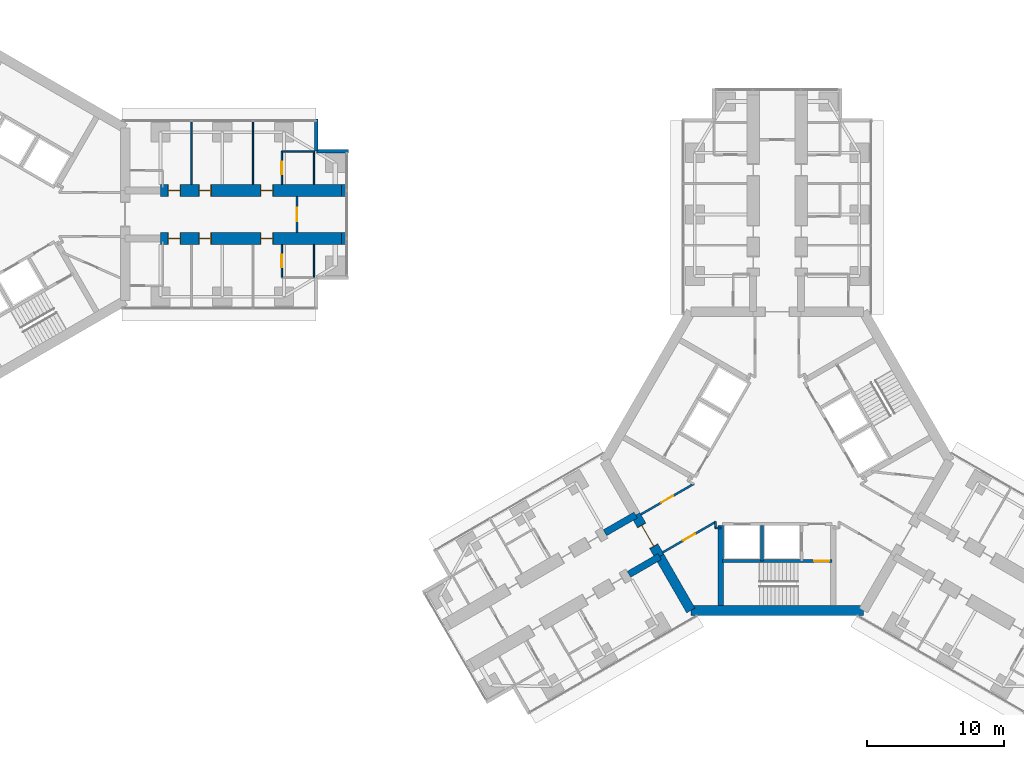
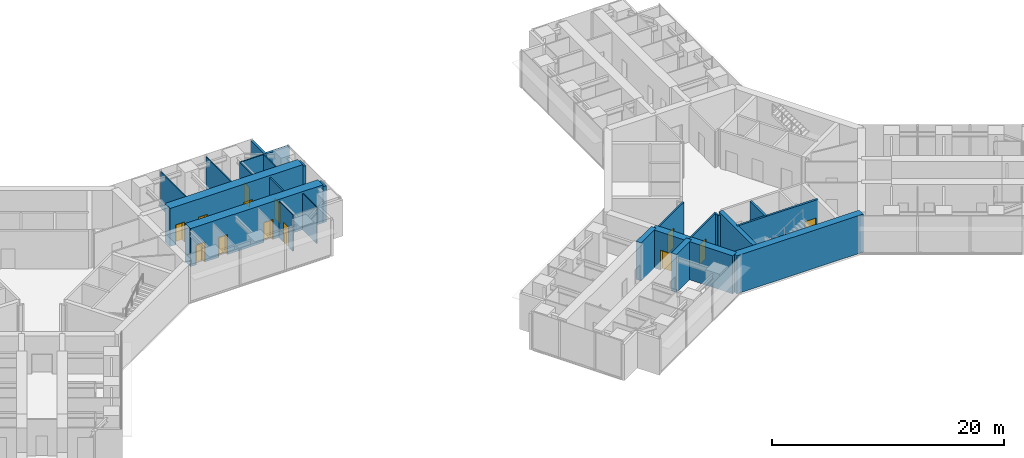
# One storey, part 20 of 25: 26 walls, 13 doors, 13 openings.
"""IFC4 building model written with IfcOpenShell, lengths in metres."""

from ifc_helpers import new_model, si_unit, direction, frame, frame_2d, origin, place, context, subcontext, project, spatial, rectangle, extrude, material, layer, layer_set, type_object, element, fill, save


model = new_model("IFC4")

# Units and contexts
model_context = context("Model", 3, precision=1e-05, world=origin(), true_north=direction((0.0, 1.0)))
body_context = subcontext(model_context, "Body", "Model", "MODEL_VIEW")
ifc_project = project(units=[si_unit("LENGTHUNIT", "METRE"), si_unit("AREAUNIT", "SQUARE_METRE"), si_unit("VOLUMEUNIT", "CUBIC_METRE"), si_unit("PLANEANGLEUNIT", "RADIAN"), si_unit("MASSUNIT", "GRAM", prefix="KILO")], contexts=[model_context])

# Site, building, storey
site_placement = place(None, origin())
site = spatial("IfcSite", under=ifc_project, at=site_placement, CompositionType="ELEMENT")
building_placement = place(site_placement, origin())
building = spatial("IfcBuilding", under=site, at=building_placement, Name="Upepo Twin Towers", CompositionType="ELEMENT")
storey_placement = place(building_placement, frame((0.0, 0.0, 80.5)))
storey = spatial("IfcBuildingStorey", under=building, at=storey_placement, Name="L19", CompositionType="ELEMENT", Elevation=80.5)

# Walls
ifc_material_1 = material(Name="Dense concrete blockwork", Category="masonry")
ifc_layer_1 = layer(ifc_material_1, 0.89990234375)
ifc_layer_set_1 = layer_set([ifc_layer_1], Name="Buttress closer 900, blockwork with fire-stopping to the curtain wall")
wall_type_1 = type_object("IfcWallType", Name="Buttress closer 900, blockwork with fire-stopping to the curtain wall", PredefinedType="PARTITIONING", material=ifc_layer_set_1)
for number, where, z_axis, x_axis, name in (
    (1, (26.699951171875, 1.75, 0.0), (0.0, 0.0, 1.0), (1.0, 0.0, 0.0), "T1 L19 wing A buttress closer L"),
    (2, (26.699951171875, -1.75, 0.0), (0.0, 0.0, 1.0), (1.0, 0.0, 0.0), "T1 L19 wing A buttress closer R"),
):
    element("IfcWall", number, at=place(storey_placement, frame(where, z_axis=z_axis, x_axis=x_axis)), inside=storey, type_object=wall_type_1, Name=name, PredefinedType="PARTITIONING", context=body_context, shape_type="SweptSolid", body=[
        extrude(rectangle(XDim=0.31005859375, YDim=0.89990234375, at=frame_2d((0.155029296875, 0.0))), origin(), (0.0, 0.0, 1.0), 3.800048828125),
    ])
ifc_material_2 = material(Name="Concrete C60/75", Category="concrete")
ifc_layer_2 = layer(ifc_material_2, 0.5)
ifc_layer_set_2 = layer_set([ifc_layer_2], Name="Concrete C60/75")
wall_type_2 = type_object("IfcWallType", Name="Buttress wall 500 RC", PredefinedType="SHEAR", material=ifc_layer_set_2)
for number, where, z_axis, x_axis, name in (
    (3, (49.92822265625, -24.9697265625, 0.0), (0.0, 0.0, 1.0), (-0.866031863473, -0.499988811324, 0.0), "T2 wing B buttress wall L"),
    (4, (48.17822265625, -21.938720703125, 0.0), (0.0, 0.0, 1.0), (-0.866072649678, -0.499918158782, 0.0), "T2 wing B buttress wall R"),
):
    element("IfcWall", number, at=place(storey_placement, frame(where, z_axis=z_axis, x_axis=x_axis)), inside=storey, type_object=wall_type_2, Name=name, PredefinedType="SHEAR", context=body_context, shape_type="SweptSolid", body=[
        extrude(rectangle(XDim=2.591796875, YDim=0.5, at=frame_2d((1.2958984375, 0.0))), origin(), (0.0, 0.0, 1.0), 4.0),
    ])

# Wall, openings, doors
ifc_material_3 = material(Name="Concrete C60/75", Category="concrete")
ifc_layer_3 = layer(ifc_material_3, 0.89990234375)
ifc_layer_set_3 = layer_set([ifc_layer_3], Name="Concrete C60/75")
wall_type_3 = type_object("IfcWallType", Name="Buttress wall 900 RC", PredefinedType="SHEAR", material=ifc_layer_set_3)
wall_1_placement = place(storey_placement, frame((13.5, 1.75, 0.0), z_axis=(0.0, 0.0, 1.0), x_axis=(1.0, 0.0, 0.0)))
wall_1 = element("IfcWall", 5, at=wall_1_placement, inside=storey, type_object=wall_type_3, Name="T1 wing A buttress wall L part 2", PredefinedType="SHEAR", context=body_context, shape_type="SweptSolid", body=[
    extrude(rectangle(XDim=13.199951171875, YDim=0.89990234375, at=frame_2d((6.60009765625, 0.0))), origin(), (0.0, 0.0, 1.0), 4.0),
])
opening_1_placement = place(wall_1_placement, frame((0.550048828125, 0.0, 0.0)))
opening_1 = element("IfcOpeningElement", 6, at=opening_1_placement, cuts=wall_1, Name="Opening D11", PredefinedType="OPENING", context=body_context, shape_type="SweptSolid", body=[
    extrude(rectangle(XDim=0.89990234375, YDim=2.10009765625, at=frame_2d((0.449951171875, 1.050048828125))), frame((0.0, 0.4599609375, 0.0), z_axis=(0.0, -1.0, 0.0), x_axis=(1.0, 0.0, 0.0)), (0.0, 0.0, 1.0), 0.919921875),
])
opening_2_placement = place(wall_1_placement, frame((2.800048828125, 0.0, 0.0)))
opening_2 = element("IfcOpeningElement", 7, at=opening_2_placement, cuts=wall_1, Name="Opening D14", PredefinedType="OPENING", context=body_context, shape_type="SweptSolid", body=[
    extrude(rectangle(XDim=0.89990234375, YDim=2.10009765625, at=frame_2d((0.449951171875, 1.050048828125))), frame((0.0, 0.4599609375, 0.0), z_axis=(0.0, -1.0, 0.0), x_axis=(1.0, 0.0, 0.0)), (0.0, 0.0, 1.0), 0.919921875),
])
opening_3_placement = place(wall_1_placement, frame((7.300048828125, 0.0, 0.0)))
opening_3 = element("IfcOpeningElement", 8, at=opening_3_placement, cuts=wall_1, Name="Opening D14", PredefinedType="OPENING", context=body_context, shape_type="SweptSolid", body=[
    extrude(rectangle(XDim=0.89990234375, YDim=2.10009765625, at=frame_2d((0.449951171875, 1.050048828125))), frame((0.0, 0.4599609375, 0.0), z_axis=(0.0, -1.0, 0.0), x_axis=(1.0, 0.0, 0.0)), (0.0, 0.0, 1.0), 0.919921875),
])
ifc_material_4 = material(Name="Timber doorset", Category="wood")
door_type_1 = type_object("IfcDoorType", Name="Office door 900 FD30", OperationType="SINGLE_SWING_LEFT", PredefinedType="DOOR", material=ifc_material_4)
door_1_placement = place(opening_2_placement, origin())
door_1 = element("IfcDoor", 9, at=door_1_placement, inside=storey, type_object=door_type_1, Name="T1 L19 staff office door", OperationType="SINGLE_SWING_LEFT", OverallHeight=2.10009765625, OverallWidth=0.89990234375, PredefinedType="DOOR", context=body_context, shape_type="SweptSolid", body=[
    extrude(rectangle(XDim=0.81990234375, YDim=2.06009765625, at=frame_2d((0.449951171875, 1.030029296875))), frame((0.0, 0.02490234375, 0.0), z_axis=(0.0, -1.0, 0.0), x_axis=(1.0, 0.0, 0.0)), (0.0, 0.0, 1.0), 0.050048828125),
    extrude(rectangle(XDim=0.04, YDim=2.10009765625, at=frame_2d((0.02001953125, 1.050048828125))), frame((0.0, 0.44970703125, 0.0), z_axis=(0.0, -1.0, 0.0), x_axis=(1.0, 0.0, 0.0)), (0.0, 0.0, 1.0), 0.8994140625),
    extrude(rectangle(XDim=0.04, YDim=2.10009765625, at=frame_2d((0.8798828125, 1.050048828125))), frame((0.0, 0.44970703125, 0.0), z_axis=(0.0, -1.0, 0.0), x_axis=(1.0, 0.0, 0.0)), (0.0, 0.0, 1.0), 0.8994140625),
    extrude(rectangle(XDim=0.81990234375, YDim=0.04, at=frame_2d((0.449951171875, 2.080078125))), frame((0.0, 0.44970703125, 0.0), z_axis=(0.0, -1.0, 0.0), x_axis=(1.0, 0.0, 0.0)), (0.0, 0.0, 1.0), 0.8994140625),
])
fill(opening_2, door_1)
door_2_placement = place(opening_3_placement, origin())
door_2 = element("IfcDoor", 10, at=door_2_placement, inside=storey, type_object=door_type_1, Name="T1 L19 postgraduate office door", OperationType="SINGLE_SWING_RIGHT", OverallHeight=2.10009765625, OverallWidth=0.89990234375, PredefinedType="DOOR", context=body_context, shape_type="SweptSolid", body=[
    extrude(rectangle(XDim=0.81990234375, YDim=2.06009765625, at=frame_2d((0.449951171875, 1.030029296875))), frame((0.0, 0.02490234375, 0.0), z_axis=(0.0, -1.0, 0.0), x_axis=(1.0, 0.0, 0.0)), (0.0, 0.0, 1.0), 0.050048828125),
    extrude(rectangle(XDim=0.04, YDim=2.10009765625, at=frame_2d((0.02001953125, 1.050048828125))), frame((0.0, 0.44970703125, 0.0), z_axis=(0.0, -1.0, 0.0), x_axis=(1.0, 0.0, 0.0)), (0.0, 0.0, 1.0), 0.8994140625),
    extrude(rectangle(XDim=0.04, YDim=2.10009765625, at=frame_2d((0.8798828125, 1.050048828125))), frame((0.0, 0.44970703125, 0.0), z_axis=(0.0, -1.0, 0.0), x_axis=(1.0, 0.0, 0.0)), (0.0, 0.0, 1.0), 0.8994140625),
    extrude(rectangle(XDim=0.81990234375, YDim=0.04, at=frame_2d((0.449951171875, 2.080078125))), frame((0.0, 0.44970703125, 0.0), z_axis=(0.0, -1.0, 0.0), x_axis=(1.0, 0.0, 0.0)), (0.0, 0.0, 1.0), 0.8994140625),
])
fill(opening_3, door_2)
ifc_material_5 = material(Name="Timber doorset", Category="wood")
door_type_2 = type_object("IfcDoorType", Name="Toilet door 900", OperationType="SINGLE_SWING_LEFT", PredefinedType="DOOR", material=ifc_material_5)
door_3_placement = place(opening_1_placement, origin())
door_3 = element("IfcDoor", 11, at=door_3_placement, inside=storey, type_object=door_type_2, Name="T1 L19 toilets door", OperationType="SINGLE_SWING_LEFT", OverallHeight=2.10009765625, OverallWidth=0.89990234375, PredefinedType="DOOR", context=body_context, shape_type="SweptSolid", body=[
    extrude(rectangle(XDim=0.81990234375, YDim=2.06009765625, at=frame_2d((0.449951171875, 1.030029296875))), frame((0.0, 0.02490234375, 0.0), z_axis=(0.0, -1.0, 0.0), x_axis=(1.0, 0.0, 0.0)), (0.0, 0.0, 1.0), 0.050048828125),
    extrude(rectangle(XDim=0.04, YDim=2.10009765625, at=frame_2d((0.02001953125, 1.050048828125))), frame((0.0, 0.44970703125, 0.0), z_axis=(0.0, -1.0, 0.0), x_axis=(1.0, 0.0, 0.0)), (0.0, 0.0, 1.0), 0.8994140625),
    extrude(rectangle(XDim=0.04, YDim=2.10009765625, at=frame_2d((0.8798828125, 1.050048828125))), frame((0.0, 0.44970703125, 0.0), z_axis=(0.0, -1.0, 0.0), x_axis=(1.0, 0.0, 0.0)), (0.0, 0.0, 1.0), 0.8994140625),
    extrude(rectangle(XDim=0.81990234375, YDim=0.04, at=frame_2d((0.449951171875, 2.080078125))), frame((0.0, 0.44970703125, 0.0), z_axis=(0.0, -1.0, 0.0), x_axis=(1.0, 0.0, 0.0)), (0.0, 0.0, 1.0), 0.8994140625),
])
fill(opening_1, door_3)

wall_2_placement = place(storey_placement, frame((13.5, -1.75, 0.0), z_axis=(0.0, 0.0, 1.0), x_axis=(1.0, 0.0, 0.0)))
wall_2 = element("IfcWall", 12, at=wall_2_placement, inside=storey, type_object=wall_type_3, Name="T1 wing A buttress wall R part 2", PredefinedType="SHEAR", context=body_context, shape_type="SweptSolid", body=[
    extrude(rectangle(XDim=13.199951171875, YDim=0.89990234375, at=frame_2d((6.60009765625, 0.0))), origin(), (0.0, 0.0, 1.0), 4.0),
])
opening_4_placement = place(wall_2_placement, frame((0.550048828125, 0.0, 0.0)))
opening_4 = element("IfcOpeningElement", 13, at=opening_4_placement, cuts=wall_2, Name="Opening D11", PredefinedType="OPENING", context=body_context, shape_type="SweptSolid", body=[
    extrude(rectangle(XDim=0.89990234375, YDim=2.10009765625, at=frame_2d((0.449951171875, 1.050048828125))), frame((0.0, 0.4599609375, 0.0), z_axis=(0.0, -1.0, 0.0), x_axis=(1.0, 0.0, 0.0)), (0.0, 0.0, 1.0), 0.919921875),
])
opening_5_placement = place(wall_2_placement, frame((2.800048828125, 0.0, 0.0)))
opening_5 = element("IfcOpeningElement", 14, at=opening_5_placement, cuts=wall_2, Name="Opening D14", PredefinedType="OPENING", context=body_context, shape_type="SweptSolid", body=[
    extrude(rectangle(XDim=0.89990234375, YDim=2.10009765625, at=frame_2d((0.449951171875, 1.050048828125))), frame((0.0, 0.4599609375, 0.0), z_axis=(0.0, -1.0, 0.0), x_axis=(1.0, 0.0, 0.0)), (0.0, 0.0, 1.0), 0.919921875),
])
opening_6_placement = place(wall_2_placement, frame((7.300048828125, 0.0, 0.0)))
opening_6 = element("IfcOpeningElement", 15, at=opening_6_placement, cuts=wall_2, Name="Opening D14", PredefinedType="OPENING", context=body_context, shape_type="SweptSolid", body=[
    extrude(rectangle(XDim=0.89990234375, YDim=2.10009765625, at=frame_2d((0.449951171875, 1.050048828125))), frame((0.0, 0.4599609375, 0.0), z_axis=(0.0, -1.0, 0.0), x_axis=(1.0, 0.0, 0.0)), (0.0, 0.0, 1.0), 0.919921875),
])
door_4_placement = place(opening_5_placement, origin())
door_4 = element("IfcDoor", 16, at=door_4_placement, inside=storey, type_object=door_type_1, Name="T1 L19 meeting room door", OperationType="SINGLE_SWING_LEFT", OverallHeight=2.10009765625, OverallWidth=0.89990234375, PredefinedType="DOOR", context=body_context, shape_type="SweptSolid", body=[
    extrude(rectangle(XDim=0.81990234375, YDim=2.06009765625, at=frame_2d((0.449951171875, 1.030029296875))), frame((0.0, 0.02490234375, 0.0), z_axis=(0.0, -1.0, 0.0), x_axis=(1.0, 0.0, 0.0)), (0.0, 0.0, 1.0), 0.050048828125),
    extrude(rectangle(XDim=0.04, YDim=2.10009765625, at=frame_2d((0.02001953125, 1.050048828125))), frame((0.0, 0.44970703125, 0.0), z_axis=(0.0, -1.0, 0.0), x_axis=(1.0, 0.0, 0.0)), (0.0, 0.0, 1.0), 0.8994140625),
    extrude(rectangle(XDim=0.04, YDim=2.10009765625, at=frame_2d((0.8798828125, 1.050048828125))), frame((0.0, 0.44970703125, 0.0), z_axis=(0.0, -1.0, 0.0), x_axis=(1.0, 0.0, 0.0)), (0.0, 0.0, 1.0), 0.8994140625),
    extrude(rectangle(XDim=0.81990234375, YDim=0.04, at=frame_2d((0.449951171875, 2.080078125))), frame((0.0, 0.44970703125, 0.0), z_axis=(0.0, -1.0, 0.0), x_axis=(1.0, 0.0, 0.0)), (0.0, 0.0, 1.0), 0.8994140625),
])
fill(opening_5, door_4)
door_5_placement = place(opening_6_placement, origin())
door_5 = element("IfcDoor", 17, at=door_5_placement, inside=storey, type_object=door_type_1, Name="T1 L19 staff office door", OperationType="SINGLE_SWING_RIGHT", OverallHeight=2.10009765625, OverallWidth=0.89990234375, PredefinedType="DOOR", context=body_context, shape_type="SweptSolid", body=[
    extrude(rectangle(XDim=0.81990234375, YDim=2.06009765625, at=frame_2d((0.449951171875, 1.030029296875))), frame((0.0, 0.02490234375, 0.0), z_axis=(0.0, -1.0, 0.0), x_axis=(1.0, 0.0, 0.0)), (0.0, 0.0, 1.0), 0.050048828125),
    extrude(rectangle(XDim=0.04, YDim=2.10009765625, at=frame_2d((0.02001953125, 1.050048828125))), frame((0.0, 0.44970703125, 0.0), z_axis=(0.0, -1.0, 0.0), x_axis=(1.0, 0.0, 0.0)), (0.0, 0.0, 1.0), 0.8994140625),
    extrude(rectangle(XDim=0.04, YDim=2.10009765625, at=frame_2d((0.8798828125, 1.050048828125))), frame((0.0, 0.44970703125, 0.0), z_axis=(0.0, -1.0, 0.0), x_axis=(1.0, 0.0, 0.0)), (0.0, 0.0, 1.0), 0.8994140625),
    extrude(rectangle(XDim=0.81990234375, YDim=0.04, at=frame_2d((0.449951171875, 2.080078125))), frame((0.0, 0.44970703125, 0.0), z_axis=(0.0, -1.0, 0.0), x_axis=(1.0, 0.0, 0.0)), (0.0, 0.0, 1.0), 0.8994140625),
])
fill(opening_6, door_5)
door_6_placement = place(opening_4_placement, origin())
door_6 = element("IfcDoor", 18, at=door_6_placement, inside=storey, type_object=door_type_2, Name="T1 L19 accessible wc door", OperationType="SINGLE_SWING_LEFT", OverallHeight=2.10009765625, OverallWidth=0.89990234375, PredefinedType="DOOR", context=body_context, shape_type="SweptSolid", body=[
    extrude(rectangle(XDim=0.81990234375, YDim=2.06009765625, at=frame_2d((0.449951171875, 1.030029296875))), frame((0.0, 0.02490234375, 0.0), z_axis=(0.0, -1.0, 0.0), x_axis=(1.0, 0.0, 0.0)), (0.0, 0.0, 1.0), 0.050048828125),
    extrude(rectangle(XDim=0.04, YDim=2.10009765625, at=frame_2d((0.02001953125, 1.050048828125))), frame((0.0, 0.44970703125, 0.0), z_axis=(0.0, -1.0, 0.0), x_axis=(1.0, 0.0, 0.0)), (0.0, 0.0, 1.0), 0.8994140625),
    extrude(rectangle(XDim=0.04, YDim=2.10009765625, at=frame_2d((0.8798828125, 1.050048828125))), frame((0.0, 0.44970703125, 0.0), z_axis=(0.0, -1.0, 0.0), x_axis=(1.0, 0.0, 0.0)), (0.0, 0.0, 1.0), 0.8994140625),
    extrude(rectangle(XDim=0.81990234375, YDim=0.04, at=frame_2d((0.449951171875, 2.080078125))), frame((0.0, 0.44970703125, 0.0), z_axis=(0.0, -1.0, 0.0), x_axis=(1.0, 0.0, 0.0)), (0.0, 0.0, 1.0), 0.8994140625),
])
fill(opening_4, door_6)

# Wall, opening, door
ifc_material_6 = material(Name="Concrete C60/75", Category="concrete")
ifc_layer_4 = layer(ifc_material_6, 0.699951171875)
ifc_layer_set_4 = layer_set([ifc_layer_4], Name="Concrete C60/75")
wall_type_4 = type_object("IfcWallType", Name="Core wall 700 RC", PredefinedType="SHEAR", material=ifc_layer_set_4)
wall_3_placement = place(storey_placement, frame((48.17822265625, -21.938720703125, 0.0), z_axis=(0.0, 0.0, 1.0), x_axis=(0.500010275428, -0.866019471182, 0.0)))
wall_3 = element("IfcWall", 19, at=wall_3_placement, inside=storey, type_object=wall_type_4, Name="T2 core wall 120", PredefinedType="SHEAR", context=body_context, shape_type="SweptSolid", body=[
    extrude(rectangle(XDim=3.5, YDim=0.699951171875, at=frame_2d((1.75, 0.0))), origin(), (0.0, 0.0, 1.0), 4.0),
])
opening_7_placement = place(wall_3_placement, frame((0.85009765625, 0.0, 0.0)))
opening_7 = element("IfcOpeningElement", 20, at=opening_7_placement, cuts=wall_3, Name="Opening D2", PredefinedType="OPENING", context=body_context, shape_type="SweptSolid", body=[
    extrude(rectangle(XDim=1.800048828125, YDim=2.10009765625, at=frame_2d((0.89990234375, 1.050048828125))), frame((0.0, 0.35986328125, 0.0), z_axis=(0.0, -1.0, 0.0), x_axis=(1.0, 0.0, 0.0)), (0.0, 0.0, 1.0), 0.719970703125),
])
ifc_material_7 = material(Name="Timber doorset", Category="wood")
door_type_3 = type_object("IfcDoorType", Name="Corridor double door 1800 FD60", OperationType="DOUBLE_DOOR_DOUBLE_SWING", PredefinedType="DOOR", material=ifc_material_7)
door_7_placement = place(opening_7_placement, origin())
door_7 = element("IfcDoor", 21, at=door_7_placement, inside=storey, type_object=door_type_3, Name="T2 L19 wing B corridor door", OperationType="DOUBLE_DOOR_DOUBLE_SWING", OverallHeight=2.10009765625, OverallWidth=1.800048828125, PredefinedType="DOOR", context=body_context, shape_type="SweptSolid", body=[
    extrude(rectangle(XDim=1.720048828125, YDim=2.06009765625, at=frame_2d((0.89990234375, 1.030029296875))), frame((0.0, 0.02490234375, 0.0), z_axis=(0.0, -1.0, 0.0), x_axis=(1.0, 0.0, 0.0)), (0.0, 0.0, 1.0), 0.050048828125),
    extrude(rectangle(XDim=0.04, YDim=2.10009765625, at=frame_2d((0.02001953125, 1.050048828125))), frame((0.0, 0.349609375, 0.0), z_axis=(0.0, -1.0, 0.0), x_axis=(1.0, 0.0, 0.0)), (0.0, 0.0, 1.0), 0.699462890625),
    extrude(rectangle(XDim=0.04, YDim=2.10009765625, at=frame_2d((1.780029296875, 1.050048828125))), frame((0.0, 0.349609375, 0.0), z_axis=(0.0, -1.0, 0.0), x_axis=(1.0, 0.0, 0.0)), (0.0, 0.0, 1.0), 0.699462890625),
    extrude(rectangle(XDim=1.720048828125, YDim=0.04, at=frame_2d((0.89990234375, 2.080078125))), frame((0.0, 0.349609375, 0.0), z_axis=(0.0, -1.0, 0.0), x_axis=(1.0, 0.0, 0.0)), (0.0, 0.0, 1.0), 0.699462890625),
])
fill(opening_7, door_7)

# Walls
wall_4_placement = place(storey_placement, frame((49.92822265625, -24.9697265625, 0.0), z_axis=(0.0, 0.0, 1.0), x_axis=(0.499984222037, -0.866034513004, 0.0)))
element("IfcWall", 22, at=wall_4_placement, inside=storey, type_object=wall_type_4, Name="T2 core wall 120 L", PredefinedType="SHEAR", context=body_context, shape_type="SweptSolid", body=[
    extrude(rectangle(XDim=4.548095703125, YDim=0.699951171875, at=frame_2d((2.27392578125, 0.0))), origin(), (0.0, 0.0, 1.0), 4.0),
])
wall_5_placement = place(storey_placement, frame((52.2021484375, -28.908447265625, 0.0), z_axis=(0.0, 0.0, 1.0), x_axis=(1.0, 0.0, 0.0)))
element("IfcWall", 23, at=wall_5_placement, inside=storey, type_object=wall_type_4, Name="T2 core wall 180", PredefinedType="SHEAR", context=body_context, shape_type="SweptSolid", body=[
    extrude(rectangle(XDim=12.595703125, YDim=0.699951171875, at=frame_2d((6.2978515625, 0.0))), origin(), (0.0, 0.0, 1.0), 4.0),
])
ifc_material_8 = material(Name="Blockwork with anodised aluminium cladding", Category="masonry")
ifc_layer_5 = layer(ifc_material_8, 0.25)
ifc_layer_set_5 = layer_set([ifc_layer_5], Name="Notch cladding wall 250, pale metal")
wall_type_5 = type_object("IfcWallType", Name="Notch cladding wall 250, pale metal", PredefinedType="STANDARD", material=ifc_layer_set_5)
for number, where, z_axis, x_axis, name in (
    (24, (24.875, 6.949951171875, 0.0), (0.0, 0.0, 1.0), (0.0, -1.0, 0.0), "T1 L19 wing A notch wall L1"),
    (25, (24.875, 4.625, 0.0), (0.0, 0.0, 1.0), (1.0, 0.0, 0.0), "T1 L19 wing A notch wall L2"),
):
    element("IfcWall", number, at=place(storey_placement, frame(where, z_axis=z_axis, x_axis=x_axis)), inside=storey, type_object=wall_type_5, Name=name, PredefinedType="STANDARD", context=body_context, shape_type="SweptSolid", body=[
        extrude(rectangle(XDim=2.324951171875, YDim=0.25, at=frame_2d((1.16259765625, 0.0))), origin(), (0.0, 0.0, 1.0), 3.800048828125),
    ])
ifc_material_9 = material(Name="Gypsum board on steel studs", Category="steel")
ifc_layer_6 = layer(ifc_material_9, 0.10009765625)
ifc_layer_set_6 = layer_set([ifc_layer_6], Name="Office partition 100 stud")
wall_type_6 = type_object("IfcWallType", Name="Office partition 100 stud", PredefinedType="PARTITIONING", material=ifc_layer_set_6)
for number, where, z_axis, x_axis, name in (
    (26, (15.75, 2.199951171875, 0.0), (0.0, 0.0, 1.0), (0.0, 1.0, 0.0), "T1 partition AL at 15.75"),
    (27, (20.25, 2.199951171875, 0.0), (0.0, 0.0, 1.0), (0.0, 1.0, 0.0), "T1 partition AL at 20.25"),
):
    element("IfcWall", number, at=place(storey_placement, frame(where, z_axis=z_axis, x_axis=x_axis)), inside=storey, type_object=wall_type_6, Name=name, PredefinedType="PARTITIONING", context=body_context, shape_type="SweptSolid", body=[
        extrude(rectangle(XDim=4.550048828125, YDim=0.10009765625, at=frame_2d((2.27490234375, 0.0))), origin(), (0.0, 0.0, 1.0), 3.800048828125),
    ])
wall_6_placement = place(storey_placement, frame((22.35009765625, 4.60009765625, 0.0), z_axis=(0.0, 0.0, 1.0), x_axis=(1.0, 0.0, 0.0)))
element("IfcWall", 28, at=wall_6_placement, inside=storey, type_object=wall_type_6, Name="T1 inner room partition AL at 22.35", PredefinedType="PARTITIONING", context=body_context, shape_type="SweptSolid", body=[
    extrude(rectangle(XDim=2.39990234375, YDim=0.10009765625, at=frame_2d((1.199951171875, 0.0))), origin(), (0.0, 0.0, 1.0), 3.800048828125),
])

# Wall, opening, door
wall_7_placement = place(storey_placement, frame((22.35009765625, 2.199951171875, 0.0), z_axis=(0.0, 0.0, 1.0), x_axis=(0.0, 1.0, 0.0)))
wall_7 = element("IfcWall", 29, at=wall_7_placement, inside=storey, type_object=wall_type_6, Name="T1 inner room partition AL end at 22.35", PredefinedType="PARTITIONING", context=body_context, shape_type="SweptSolid", body=[
    extrude(rectangle(XDim=2.400146484375, YDim=0.10009765625, at=frame_2d((1.2001953125, 0.0))), origin(), (0.0, 0.0, 1.0), 3.800048828125),
])
opening_8_placement = place(wall_7_placement, frame((0.75, 0.0, 0.0)))
opening_8 = element("IfcOpeningElement", 30, at=opening_8_placement, cuts=wall_7, Name="Opening D14", PredefinedType="OPENING", context=body_context, shape_type="SweptSolid", body=[
    extrude(rectangle(XDim=0.89990234375, YDim=2.10009765625, at=frame_2d((0.449951171875, 1.050048828125))), frame((0.0, 0.06005859375, 0.0), z_axis=(0.0, -1.0, 0.0), x_axis=(1.0, 0.0, 0.0)), (0.0, 0.0, 1.0), 0.1201171875),
])
door_8_placement = place(opening_8_placement, origin())
door_8 = element("IfcDoor", 31, at=door_8_placement, inside=storey, type_object=door_type_1, Name="T1 L19 inner room door", OperationType="SINGLE_SWING_LEFT", OverallHeight=2.10009765625, OverallWidth=0.89990234375, PredefinedType="DOOR", context=body_context, shape_type="SweptSolid", body=[
    extrude(rectangle(XDim=0.89990234375, YDim=2.10009765625, at=frame_2d((0.449951171875, 1.050048828125))), frame((0.0, 0.02490234375, 0.0), z_axis=(0.0, -1.0, 0.0), x_axis=(1.0, 0.0, 0.0)), (0.0, 0.0, 1.0), 0.050048828125),
])
fill(opening_8, door_8)

# Wall
wall_8_placement = place(storey_placement, frame((24.699951171875, 2.199951171875, 0.0), z_axis=(0.0, 0.0, 1.0), x_axis=(0.0, 1.0, 0.0)))
element("IfcWall", 32, at=wall_8_placement, inside=storey, type_object=wall_type_6, Name="T1 inner room partition AL end at 24.75", PredefinedType="PARTITIONING", context=body_context, shape_type="SweptSolid", body=[
    extrude(rectangle(XDim=2.400146484375, YDim=0.10009765625, at=frame_2d((1.2001953125, 0.0))), origin(), (0.0, 0.0, 1.0), 3.800048828125),
])

# Wall, opening, door
wall_9_placement = place(storey_placement, frame((22.35009765625, -2.199951171875, 0.0), z_axis=(0.0, 0.0, 1.0), x_axis=(0.0, -1.0, 0.0)))
wall_9 = element("IfcWall", 33, at=wall_9_placement, inside=storey, type_object=wall_type_6, Name="T1 inner room partition AR end at 22.35", PredefinedType="PARTITIONING", context=body_context, shape_type="SweptSolid", body=[
    extrude(rectangle(XDim=2.400146484375, YDim=0.10009765625, at=frame_2d((1.2001953125, 0.0))), origin(), (0.0, 0.0, 1.0), 3.800048828125),
])
opening_9_placement = place(wall_9_placement, frame((0.75, 0.0, 0.0)))
opening_9 = element("IfcOpeningElement", 34, at=opening_9_placement, cuts=wall_9, Name="Opening D14", PredefinedType="OPENING", context=body_context, shape_type="SweptSolid", body=[
    extrude(rectangle(XDim=0.89990234375, YDim=2.10009765625, at=frame_2d((0.449951171875, 1.050048828125))), frame((0.0, 0.06005859375, 0.0), z_axis=(0.0, -1.0, 0.0), x_axis=(1.0, 0.0, 0.0)), (0.0, 0.0, 1.0), 0.1201171875),
])
door_9_placement = place(opening_9_placement, origin())
door_9 = element("IfcDoor", 35, at=door_9_placement, inside=storey, type_object=door_type_1, Name="T1 L19 inner room door", OperationType="SINGLE_SWING_LEFT", OverallHeight=2.10009765625, OverallWidth=0.89990234375, PredefinedType="DOOR", context=body_context, shape_type="SweptSolid", body=[
    extrude(rectangle(XDim=0.89990234375, YDim=2.10009765625, at=frame_2d((0.449951171875, 1.050048828125))), frame((0.0, 0.02490234375, 0.0), z_axis=(0.0, -1.0, 0.0), x_axis=(1.0, 0.0, 0.0)), (0.0, 0.0, 1.0), 0.050048828125),
])
fill(opening_9, door_9)

# Walls
wall_10_placement = place(storey_placement, frame((24.699951171875, -2.199951171875, 0.0), z_axis=(0.0, 0.0, 1.0), x_axis=(0.0, -1.0, 0.0)))
element("IfcWall", 36, at=wall_10_placement, inside=storey, type_object=wall_type_6, Name="T1 inner room partition AR end at 24.75", PredefinedType="PARTITIONING", context=body_context, shape_type="SweptSolid", body=[
    extrude(rectangle(XDim=2.400146484375, YDim=0.10009765625, at=frame_2d((1.2001953125, 0.0))), origin(), (0.0, 0.0, 1.0), 3.800048828125),
])
ifc_material_10 = material(Name="Concrete C40/50", Category="concrete")
ifc_layer_7 = layer(ifc_material_10, 0.199951171875)
ifc_layer_set_7 = layer_set([ifc_layer_7], Name="Concrete C40/50")
wall_type_7 = type_object("IfcWallType", Name="Shaft wall 200 RC", PredefinedType="SHEAR", material=ifc_layer_set_7)
wall_11_placement = place(storey_placement, frame((57.39990234375, -22.699951171875, 0.0), z_axis=(0.0, 0.0, 1.0), x_axis=(0.0, -1.0, 0.0)))
element("IfcWall", 37, at=wall_11_placement, inside=storey, type_object=wall_type_7, Name="T2 core W180 shaft divider", PredefinedType="SHEAR", context=body_context, shape_type="SweptSolid", body=[
    extrude(rectangle(XDim=2.60009765625, YDim=0.199951171875, at=frame_2d((1.300048828125, 0.0))), origin(), (0.0, 0.0, 1.0), 4.0),
])

# Wall, opening, door
wall_12_placement = place(storey_placement, frame((54.5, -25.300048828125, 0.0), z_axis=(0.0, 0.0, 1.0), x_axis=(1.0, 0.0, 0.0)))
wall_12 = element("IfcWall", 38, at=wall_12_placement, inside=storey, type_object=wall_type_7, Name="T2 core W180 stair wall", PredefinedType="SHEAR", context=body_context, shape_type="SweptSolid", body=[
    extrude(rectangle(XDim=8.0, YDim=0.199951171875, at=frame_2d((4.0, 0.0))), origin(), (0.0, 0.0, 1.0), 4.0),
])
opening_10_placement = place(wall_12_placement, frame((6.699951171875, 0.0, 0.0)))
opening_10 = element("IfcOpeningElement", 39, at=opening_10_placement, cuts=wall_12, Name="Opening D3", PredefinedType="OPENING", context=body_context, shape_type="SweptSolid", body=[
    extrude(rectangle(XDim=1.10009765625, YDim=2.10009765625, at=frame_2d((0.550048828125, 1.050048828125))), frame((0.0, 0.10986328125, 0.0), z_axis=(0.0, -1.0, 0.0), x_axis=(1.0, 0.0, 0.0)), (0.0, 0.0, 1.0), 0.219970703125),
])
ifc_material_11 = material(Name="Timber doorset", Category="wood")
door_type_4 = type_object("IfcDoorType", Name="Stair door 1100 FD60", OperationType="SINGLE_SWING_LEFT", PredefinedType="DOOR", material=ifc_material_11)
door_10_placement = place(opening_10_placement, origin())
door_10 = element("IfcDoor", 40, at=door_10_placement, inside=storey, type_object=door_type_4, Name="T2 L19 stair door", OperationType="SINGLE_SWING_RIGHT", OverallHeight=2.10009765625, OverallWidth=1.10009765625, PredefinedType="DOOR", context=body_context, shape_type="SweptSolid", body=[
    extrude(rectangle(XDim=1.10009765625, YDim=2.10009765625, at=frame_2d((0.550048828125, 1.050048828125))), frame((0.0, 0.02490234375, 0.0), z_axis=(0.0, -1.0, 0.0), x_axis=(1.0, 0.0, 0.0)), (0.0, 0.0, 1.0), 0.050048828125),
])
fill(opening_10, door_10)

# Wall
ifc_material_12 = material(Name="Concrete C40/50", Category="concrete")
ifc_layer_8 = layer(ifc_material_12, 0.39990234375)
ifc_layer_set_8 = layer_set([ifc_layer_8], Name="Concrete C40/50")
wall_type_8 = type_object("IfcWallType", Name="Shaft wall 400 RC", PredefinedType="SHEAR", material=ifc_layer_set_8)
wall_13_placement = place(storey_placement, frame((54.39990234375, -22.699951171875, 0.0), z_axis=(0.0, 0.0, 1.0), x_axis=(0.0, -1.0, 0.0)))
element("IfcWall", 41, at=wall_13_placement, inside=storey, type_object=wall_type_8, Name="T2 core W180 side wall S", PredefinedType="SHEAR", context=body_context, shape_type="SweptSolid", body=[
    extrude(rectangle(XDim=5.8583984375, YDim=0.39990234375, at=frame_2d((2.92919921875, 0.0))), origin(), (0.0, 0.0, 1.0), 4.0),
])

# Wall, opening, door
ifc_material_13 = material(Name="Gypsum board on steel studs", Category="steel")
ifc_layer_9 = layer(ifc_material_13, 0.14990234375)
ifc_layer_set_9 = layer_set([ifc_layer_9], Name="Teaching partition 150 acoustic")
wall_type_9 = type_object("IfcWallType", Name="Teaching partition 150 acoustic", PredefinedType="PARTITIONING", material=ifc_layer_set_9)
wall_14_placement = place(storey_placement, frame((23.449951171875, -1.300048828125, 0.0), z_axis=(0.0, 0.0, 1.0), x_axis=(0.0, 1.0, 0.0)))
wall_14 = element("IfcWall", 42, at=wall_14_placement, inside=storey, type_object=wall_type_9, Name="T1 corridor end partition A at 23.45", PredefinedType="PARTITIONING", context=body_context, shape_type="SweptSolid", body=[
    extrude(rectangle(XDim=2.60009765625, YDim=0.14990234375, at=frame_2d((1.300048828125, 0.0))), origin(), (0.0, 0.0, 1.0), 3.800048828125),
])
opening_11_placement = place(wall_14_placement, frame((0.800048828125, 0.0, 0.0)))
opening_11 = element("IfcOpeningElement", 43, at=opening_11_placement, cuts=wall_14, Name="Opening D1", PredefinedType="OPENING", context=body_context, shape_type="SweptSolid", body=[
    extrude(rectangle(XDim=1.0, YDim=2.10009765625, at=frame_2d((0.5, 1.050048828125))), frame((0.0, 0.0849609375, 0.0), z_axis=(0.0, -1.0, 0.0), x_axis=(1.0, 0.0, 0.0)), (0.0, 0.0, 1.0), 0.169921875),
])
ifc_material_14 = material(Name="Timber doorset", Category="wood")
door_type_5 = type_object("IfcDoorType", Name="Room door 1000 FD30", OperationType="SINGLE_SWING_LEFT", PredefinedType="DOOR", material=ifc_material_14)
door_11_placement = place(opening_11_placement, origin())
door_11 = element("IfcDoor", 44, at=door_11_placement, inside=storey, type_object=door_type_5, Name="T1 L19 breakout study room door", OperationType="SINGLE_SWING_LEFT", OverallHeight=2.10009765625, OverallWidth=1.0, PredefinedType="DOOR", context=body_context, shape_type="SweptSolid", body=[
    extrude(rectangle(XDim=1.0, YDim=2.10009765625, at=frame_2d((0.5, 1.050048828125))), frame((0.0, 0.02490234375, 0.0), z_axis=(0.0, -1.0, 0.0), x_axis=(1.0, 0.0, 0.0)), (0.0, 0.0, 1.0), 0.050048828125),
])
fill(opening_11, door_11)

# Wall
wall_15_placement = place(storey_placement, frame((54.0, -22.919921875, 0.0), z_axis=(0.0, 0.0, 1.0), x_axis=(0.0, 1.0, 0.0)))
element("IfcWall", 45, at=wall_15_placement, inside=storey, type_object=wall_type_9, Name="T2 core room partition 1", PredefinedType="PARTITIONING", context=body_context, shape_type="SweptSolid", body=[
    extrude(rectangle(XDim=0.494384765625, YDim=0.14990234375, at=frame_2d((0.2470703125, 0.0))), origin(), (0.0, 0.0, 1.0), 3.800048828125),
])

# Wall, opening, door
wall_16_placement = place(storey_placement, frame((54.017333984375, -22.435546875, 0.0), z_axis=(0.0, 0.0, 1.0), x_axis=(-0.866015446554, -0.500017246033, 0.0)))
wall_16 = element("IfcWall", 46, at=wall_16_placement, inside=storey, type_object=wall_type_9, Name="T2 core room partition 2", PredefinedType="PARTITIONING", context=body_context, shape_type="SweptSolid", body=[
    extrude(rectangle(XDim=4.468505859375, YDim=0.14990234375, at=frame_2d((2.234375, 0.0))), origin(), (0.0, 0.0, 1.0), 3.800048828125),
])
opening_12_placement = place(wall_16_placement, frame((1.744384765625, 0.0, 0.0)))
opening_12 = element("IfcOpeningElement", 47, at=opening_12_placement, cuts=wall_16, Name="Opening D1", PredefinedType="OPENING", context=body_context, shape_type="SweptSolid", body=[
    extrude(rectangle(XDim=1.0, YDim=2.10009765625, at=frame_2d((0.5, 1.050048828125))), frame((0.0, 0.0849609375, 0.0), z_axis=(0.0, -1.0, 0.0), x_axis=(1.0, 0.0, 0.0)), (0.0, 0.0, 1.0), 0.169921875),
])
door_12_placement = place(opening_12_placement, origin())
door_12 = element("IfcDoor", 48, at=door_12_placement, inside=storey, type_object=door_type_5, Name="T2 L19 core room door K2", OperationType="SINGLE_SWING_RIGHT", OverallHeight=2.10009765625, OverallWidth=1.0, PredefinedType="DOOR", context=body_context, shape_type="SweptSolid", body=[
    extrude(rectangle(XDim=1.0, YDim=2.10009765625, at=frame_2d((0.5, 1.050048828125))), frame((0.0, 0.02490234375, 0.0), z_axis=(0.0, -1.0, 0.0), x_axis=(1.0, 0.0, 0.0)), (0.0, 0.0, 1.0), 0.050048828125),
])
fill(opening_12, door_12)

wall_17_placement = place(storey_placement, frame((48.547607421875, -21.8984375, 0.0), z_axis=(0.0, 0.0, 1.0), x_axis=(0.866025445582, 0.499999927604, 0.0)))
wall_17 = element("IfcWall", 49, at=wall_17_placement, inside=storey, type_object=wall_type_9, Name="T2 core room partition 3", PredefinedType="PARTITIONING", context=body_context, shape_type="SweptSolid", body=[
    extrude(rectangle(XDim=4.46826171875, YDim=0.14990234375, at=frame_2d((2.234130859375, 0.0))), origin(), (0.0, 0.0, 1.0), 3.800048828125),
])
opening_13_placement = place(wall_17_placement, frame((1.72412109375, 0.0, 0.0)))
opening_13 = element("IfcOpeningElement", 50, at=opening_13_placement, cuts=wall_17, Name="Opening D1", PredefinedType="OPENING", context=body_context, shape_type="SweptSolid", body=[
    extrude(rectangle(XDim=1.0, YDim=2.10009765625, at=frame_2d((0.5, 1.050048828125))), frame((0.0, 0.0849609375, 0.0), z_axis=(0.0, -1.0, 0.0), x_axis=(1.0, 0.0, 0.0)), (0.0, 0.0, 1.0), 0.169921875),
])
door_13_placement = place(opening_13_placement, origin())
door_13 = element("IfcDoor", 51, at=door_13_placement, inside=storey, type_object=door_type_5, Name="T2 L19 core room door K1", OperationType="SINGLE_SWING_LEFT", OverallHeight=2.10009765625, OverallWidth=1.0, PredefinedType="DOOR", context=body_context, shape_type="SweptSolid", body=[
    extrude(rectangle(XDim=1.0, YDim=2.10009765625, at=frame_2d((0.5, 1.050048828125))), frame((0.0, 0.02490234375, 0.0), z_axis=(0.0, -1.0, 0.0), x_axis=(1.0, 0.0, 0.0)), (0.0, 0.0, 1.0), 0.050048828125),
])
fill(opening_13, door_13)

# Wall
wall_18_placement = place(storey_placement, frame((54.409912109375, -22.89990234375, 0.0), z_axis=(0.0, 0.0, 1.0), x_axis=(-1.0, 0.0, 0.0)))
element("IfcWall", 52, at=wall_18_placement, inside=storey, type_object=wall_type_9, Name="T2 core room partition 18", PredefinedType="PARTITIONING", context=body_context, shape_type="SweptSolid", body=[
    extrude(rectangle(XDim=0.429931640625, YDim=0.14990234375, at=frame_2d((0.21484375, 0.0))), origin(), (0.0, 0.0, 1.0), 3.800048828125),
])

save(model, "model.ifc")
